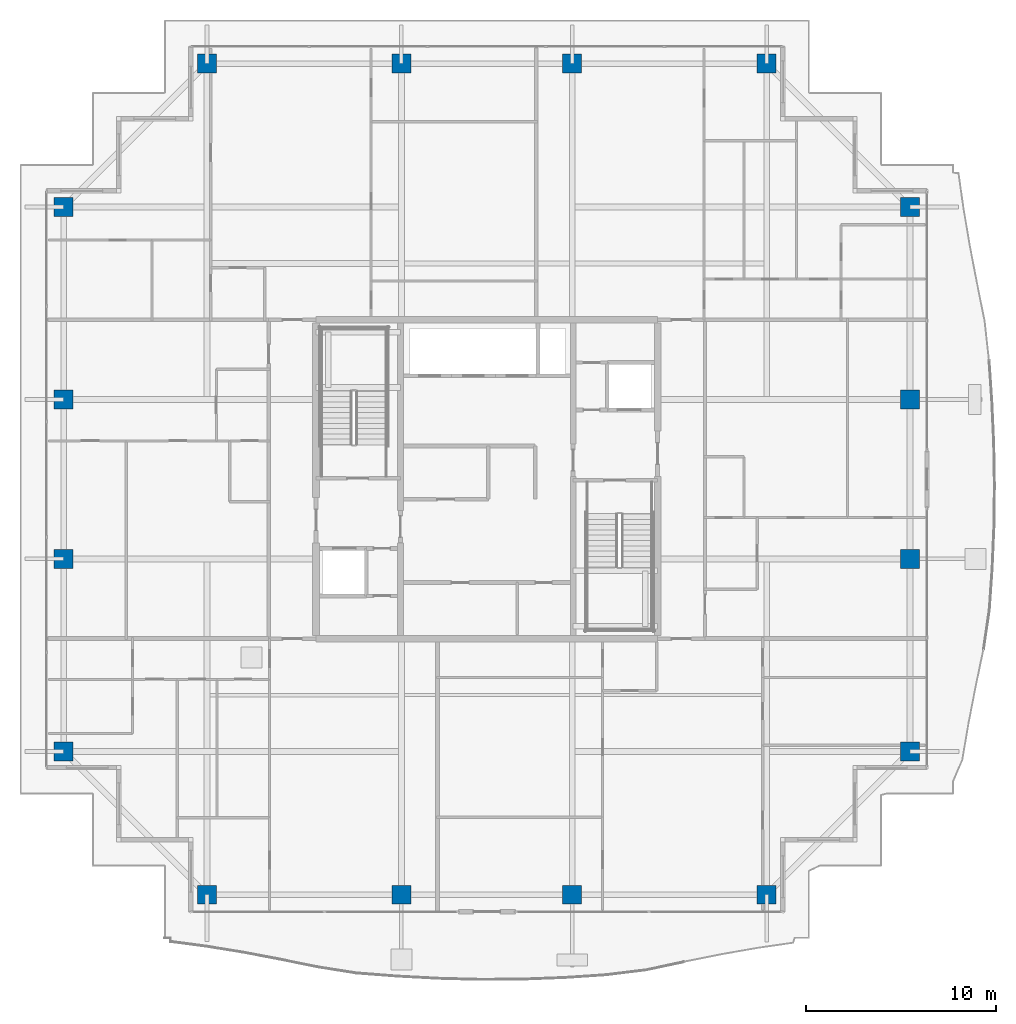
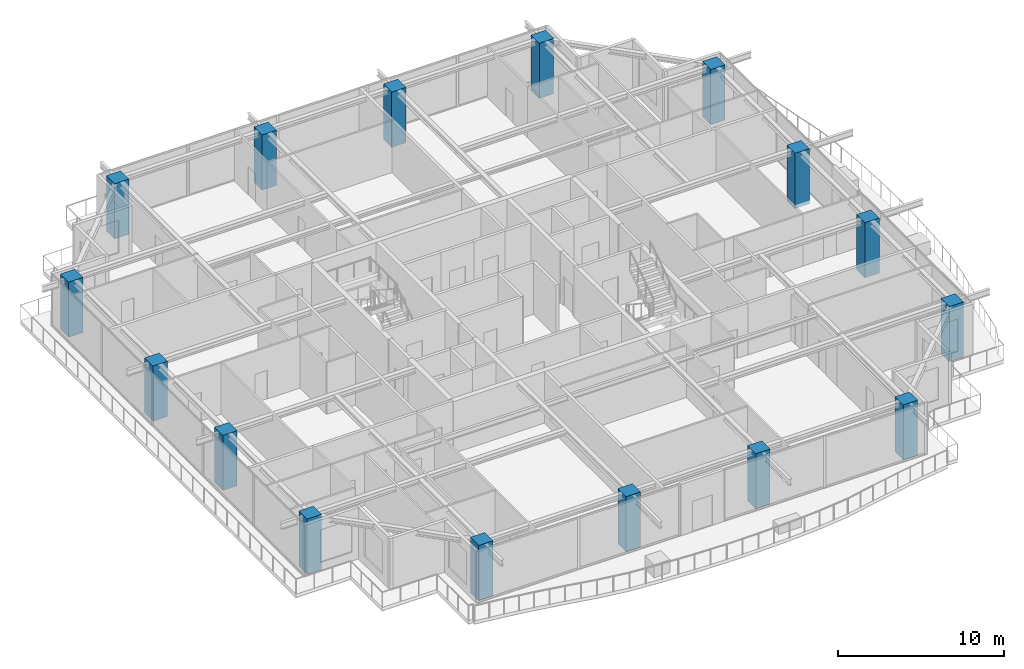
# One storey, part 1 of 42: 16 columns.
"""IFC4 building model written with IfcOpenShell, lengths in metres."""

from ifc_helpers import new_model, si_unit, direction, frame, origin, origin_2d, place, context, subcontext, project, spatial, rectangle, extrude, source, transform, mapped, material, material_profile, profile_set, type_object, element, save


model = new_model("IFC4")

# Units and contexts
model_context = context("Model", 3, precision=1e-05, world=origin(), true_north=direction((0.0, 1.0)))
body_context = subcontext(model_context, "Body", "Model", "MODEL_VIEW")
ifc_project = project(units=[si_unit("LENGTHUNIT", "METRE"), si_unit("AREAUNIT", "SQUARE_METRE"), si_unit("VOLUMEUNIT", "CUBIC_METRE"), si_unit("PLANEANGLEUNIT", "RADIAN"), si_unit("MASSUNIT", "GRAM", prefix="KILO")], contexts=[model_context])

# Site, building, storey
site_placement = place(None, origin())
site = spatial("IfcSite", under=ifc_project, at=site_placement, CompositionType="ELEMENT")
building_placement = place(site_placement, origin())
building = spatial("IfcBuilding", under=site, at=building_placement, Name="Serunith Strait Residences", CompositionType="ELEMENT")
storey_placement = place(building_placement, frame((0.0, 0.0, 293.449951171875)))
storey = spatial("IfcBuildingStorey", under=building, at=storey_placement, Name="L73", CompositionType="ELEMENT", Elevation=293.449951171875)

# Columns
ifc_material = material(Name="Concrete C70/85", Category="concrete")
ifc_material_profile = material_profile(ifc_material, rectangle(XDim=1.0, YDim=1.0, at=origin_2d()), Name="RC 1000x1000")
ifc_profile_set = profile_set([ifc_material_profile], Name="Concrete C70/85")
column_type = type_object("IfcColumnType", Name="COL-RC-1000", PredefinedType="COLUMN", material=ifc_profile_set)
shared_shape = source(origin(), body_context, "Body", "SweptSolid", [
    extrude(rectangle(XDim=1.0, YDim=1.0, at=origin_2d()), origin(), (0.0, 0.0, 1.0), 4.050048828125),
])
for number, where, z_axis, x_axis, name in (
    (1, (17.64990234375, 3.300048828125, -0.260009765625), (0.0, 0.0, 1.0), (1.0, 0.0, 0.0), "L73 Tower Mega-Column TC-S1"),
    (2, (27.89990234375, 3.300048828125, -0.260009765625), (0.0, 0.0, 1.0), (1.0, 0.0, 0.0), "L73 Tower Mega-Column TC-S2"),
    (3, (36.89990234375, 3.300048828125, -0.260009765625), (0.0, 0.0, 1.0), (1.0, 0.0, 0.0), "L73 Tower Mega-Column TC-S3"),
    (4, (47.14990234375, 3.300048828125, -0.260009765625), (0.0, 0.0, 1.0), (1.0, 0.0, 0.0), "L73 Tower Mega-Column TC-S4"),
    (5, (17.64990234375, 47.10009765625, -0.260009765625), (0.0, 0.0, 1.0), (1.0, 0.0, 0.0), "L73 Tower Mega-Column TC-N1"),
    (6, (27.89990234375, 47.10009765625, -0.260009765625), (0.0, 0.0, 1.0), (1.0, 0.0, 0.0), "L73 Tower Mega-Column TC-N2"),
    (7, (36.89990234375, 47.10009765625, -0.260009765625), (0.0, 0.0, 1.0), (1.0, 0.0, 0.0), "L73 Tower Mega-Column TC-N3"),
    (8, (47.14990234375, 47.10009765625, -0.260009765625), (0.0, 0.0, 1.0), (1.0, 0.0, 0.0), "L73 Tower Mega-Column TC-N4"),
    (9, (54.699951171875, 10.85009765625, -0.260009765625), (0.0, 0.0, 1.0), (1.0, 0.0, 0.0), "L73 Tower Mega-Column TC-E1"),
    (10, (54.699951171875, 21.0, -0.260009765625), (0.0, 0.0, 1.0), (1.0, 0.0, 0.0), "L73 Tower Mega-Column TC-E2"),
    (11, (54.699951171875, 29.39990234375, -0.260009765625), (0.0, 0.0, 1.0), (1.0, 0.0, 0.0), "L73 Tower Mega-Column TC-E3"),
    (12, (54.699951171875, 39.550048828125, -0.260009765625), (0.0, 0.0, 1.0), (1.0, 0.0, 0.0), "L73 Tower Mega-Column TC-E4"),
    (13, (10.10009765625, 10.85009765625, -0.260009765625), (0.0, 0.0, 1.0), (1.0, 0.0, 0.0), "L73 Tower Mega-Column TC-W1"),
    (14, (10.10009765625, 21.0, -0.260009765625), (0.0, 0.0, 1.0), (1.0, 0.0, 0.0), "L73 Tower Mega-Column TC-W2"),
    (15, (10.10009765625, 29.39990234375, -0.260009765625), (0.0, 0.0, 1.0), (1.0, 0.0, 0.0), "L73 Tower Mega-Column TC-W3"),
    (16, (10.10009765625, 39.550048828125, -0.260009765625), (0.0, 0.0, 1.0), (1.0, 0.0, 0.0), "L73 Tower Mega-Column TC-W4"),
):
    element("IfcColumn", number, at=place(storey_placement, frame(where, z_axis=z_axis, x_axis=x_axis)), inside=storey, type_object=column_type, Name=name, PredefinedType="COLUMN", context=body_context, shape_type="MappedRepresentation", body=[
        mapped(shared_shape, transform((0.0, 0.0, 0.0), scale=1.0)),
    ])

save(model, "model.ifc")
